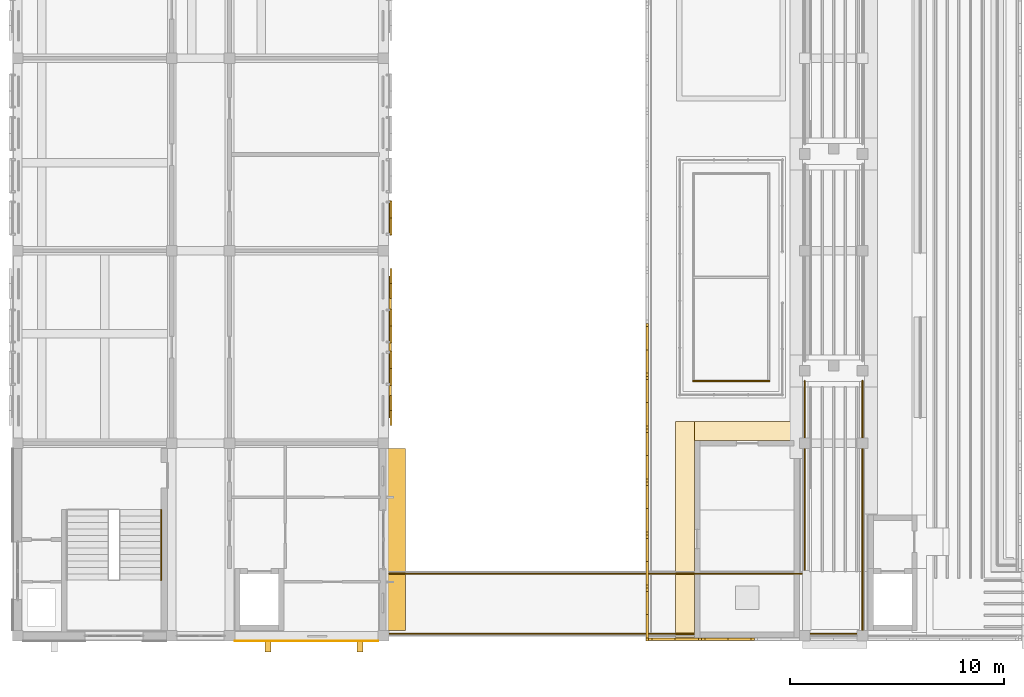
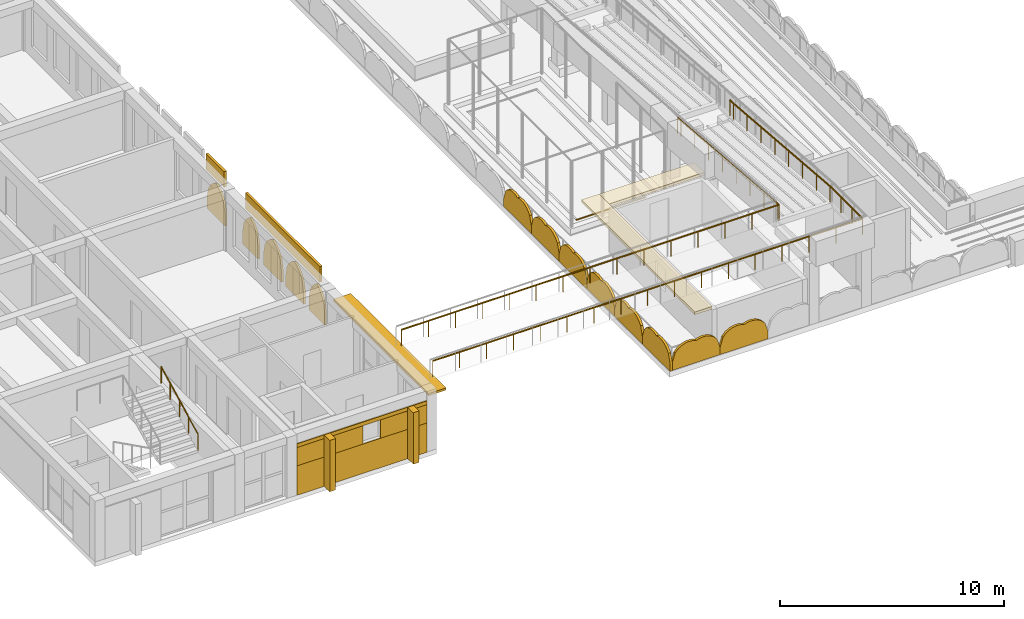
# One storey, part 43 of 50: 14 shading devices, 11 coverings, 3 railings.
"""IFC4 building model written with IfcOpenShell, lengths in metres."""

import ifcopenshell
import ifcopenshell.guid

model = None  # the IFC model being written
_history = None  # IfcOwnerHistory: only IFC2X3 demands one
_inside = {}  # id of a spatial element -> (the spatial element, [elements in it])
_under = {}  # id of a project, library or spatial element -> (it, [spatial elements below it])
_declared = {}  # id of a project -> (the project, [libraries it declares])
_typed = {}  # id of a type object -> (the type object, [elements of that type])
_made_of = {}  # id of a material, layer set ... -> (it, [elements and type objects made of it])


def new_model(schema):
    """Start an empty IFC model of exactly this schema.

    Asked for "IFC4X3", IfcOpenShell would pick the latest addendum, in which some entities
    have other attributes; the version numbers below select the first issue.
    IFC2X3 requires an IfcOwnerHistory on every rooted entity: one is made here for all.
    """
    global model, _history
    if schema == "IFC4X3":
        model = ifcopenshell.file(schema_version=(4, 3, 0, 0))
    else:
        model = ifcopenshell.file(schema=schema)
    _inside.clear()
    _under.clear()
    _declared.clear()
    _typed.clear()
    _made_of.clear()
    _history = None
    if model.schema == "IFC2X3":
        org = make("IfcOrganization", Name="unknown")
        user = make(
            "IfcPersonAndOrganization",
            ThePerson=make("IfcPerson", FamilyName="unknown"),
            TheOrganization=org,
        )
        app = make(
            "IfcApplication",
            ApplicationDeveloper=org,
            Version="unknown",
            ApplicationFullName="unknown",
            ApplicationIdentifier="unknown",
        )
        _history = make(
            "IfcOwnerHistory",
            OwningUser=user,
            OwningApplication=app,
            ChangeAction="ADDED",
            CreationDate=0,
        )
    return model


def make(cls, **values):
    """One entity of the class cls with the attributes given. An attribute that is None is left unset."""
    return model.create_entity(
        cls, **{name: value for name, value in values.items() if value is not None}
    )


def rooted(cls, **values):
    """An entity with a GlobalId (a new one), such as an element, a storey or a relation."""
    return make(cls, GlobalId=ifcopenshell.guid.new(), OwnerHistory=_history, **values)


def si_unit(unit_type, name, prefix=None):
    """IfcSIUnit, for example si_unit("LENGTHUNIT", "METRE", prefix="MILLI")."""
    return make("IfcSIUnit", UnitType=unit_type, Prefix=prefix, Name=name)


def assignment(units):
    """IfcUnitAssignment: the units of a project."""
    return None if units is None else make("IfcUnitAssignment", Units=units)


def point(xyz):
    """IfcCartesianPoint."""
    return None if xyz is None else make("IfcCartesianPoint", Coordinates=xyz)


def direction(xyz):
    """IfcDirection."""
    return None if xyz is None else make("IfcDirection", DirectionRatios=xyz)


def frame(location, z_axis=None, x_axis=None):
    """IfcAxis2Placement3D, a coordinate frame: its origin and axes. An axis left out is left unset."""
    return make(
        "IfcAxis2Placement3D",
        Location=point(location),
        Axis=direction(z_axis),
        RefDirection=direction(x_axis),
    )


def frame_2d(location, x_axis=None):
    """IfcAxis2Placement2D, a coordinate frame in the plane: its origin and x axis."""
    return make(
        "IfcAxis2Placement2D", Location=point(location), RefDirection=direction(x_axis)
    )


def origin():
    """The frame at (0, 0, 0) with its axes left unset."""
    return frame((0.0, 0.0, 0.0))


def origin_2d():
    """The frame at (0, 0) in the plane with its x axis left unset."""
    return frame_2d((0.0, 0.0))


def place(relative_to, where):
    """IfcLocalPlacement: puts the frame where relative to a parent placement (None: the world)."""
    return make(
        "IfcLocalPlacement", PlacementRelTo=relative_to, RelativePlacement=where
    )


def context(
    kind, dimensions, precision=None, world=None, true_north=None, identifier=None
):
    """IfcGeometricRepresentationContext, for example the 3D "Model" context."""
    return make(
        "IfcGeometricRepresentationContext",
        ContextIdentifier=identifier,
        ContextType=kind,
        CoordinateSpaceDimension=dimensions,
        Precision=precision,
        WorldCoordinateSystem=world,
        TrueNorth=true_north,
    )


def subcontext(parent, identifier, kind, view, scale=None):
    """IfcGeometricRepresentationSubContext, for example "Body" below "Model"."""
    return make(
        "IfcGeometricRepresentationSubContext",
        ContextIdentifier=identifier,
        ContextType=kind,
        ParentContext=parent,
        TargetScale=scale,
        TargetView=view,
    )


def project(units=None, contexts=None):
    """IfcProject with its units and contexts."""
    return rooted(
        "IfcProject",
        Name="project",
        RepresentationContexts=contexts,
        UnitsInContext=assignment(units),
    )


def spatial(cls, under=None, at=None, **own):
    """A site, building, storey or space (cls), placed at a placement, below another one or the project."""
    s = rooted(cls, ObjectPlacement=at, **own)
    if under is not None:
        _under.setdefault(under.id(), (under, []))[1].append(s)
    return s


def polyline(points):
    """IfcPolyline through the points."""
    return make("IfcPolyline", Points=[point(p) for p in points])


def profile(cls, at=None, kind="AREA", **sizes):
    """A parametric profile (cls). Its sizes go by their IFC names, for example OverallWidth=200.0."""
    return make(cls, ProfileType=kind, Position=at, **sizes)


def rectangle(**sizes):
    """IfcRectangleProfileDef."""
    return profile("IfcRectangleProfileDef", **sizes)


def circle(**sizes):
    """IfcCircleProfileDef."""
    return profile("IfcCircleProfileDef", **sizes)


def outline(outer, holes=None, kind="AREA"):
    """IfcArbitraryClosedProfileDef: a profile drawn as a closed curve; with holes, ...WithVoids."""
    if holes is None:
        return make("IfcArbitraryClosedProfileDef", ProfileType=kind, OuterCurve=outer)
    return make(
        "IfcArbitraryProfileDefWithVoids",
        ProfileType=kind,
        OuterCurve=outer,
        InnerCurves=holes,
    )


def extrude(swept, where, along, depth):
    """IfcExtrudedAreaSolid: the profile swept, set in the frame where, extruded along a direction by depth."""
    return make(
        "IfcExtrudedAreaSolid",
        SweptArea=swept,
        Position=where,
        ExtrudedDirection=direction(along),
        Depth=depth,
    )


def shape(context_of_items, identifier, shape_type, items):
    """IfcShapeRepresentation: the items that make up one representation, for example the "Body"."""
    return make(
        "IfcShapeRepresentation",
        ContextOfItems=context_of_items,
        RepresentationIdentifier=identifier,
        RepresentationType=shape_type,
        Items=items,
    )


def material(Name=None, Category=None):
    """IfcMaterial."""
    return make("IfcMaterial", Name=Name, Category=Category)


def layer(
    of_material, thickness, ventilated=None, Name=None, Category=None, Priority=None
):
    """IfcMaterialLayer: one layer of a wall or slab, of a material (None: an air gap)."""
    return make(
        "IfcMaterialLayer",
        Material=of_material,
        LayerThickness=thickness,
        IsVentilated=ventilated,
        Name=Name,
        Category=Category,
        Priority=Priority,
    )


def layer_set(layers, Name=None):
    """IfcMaterialLayerSet."""
    return make("IfcMaterialLayerSet", MaterialLayers=layers, LayerSetName=Name)


def made_of(thing, what):
    """Note that an element or type object is made of a material, layer set ...; save() writes the relation."""
    if what is not None:
        _made_of.setdefault(what.id(), (what, []))[1].append(thing)
    return thing


def type_object(cls, material=None, **own):
    """A type object (cls), such as IfcWallType, which elements share."""
    return made_of(rooted(cls, **own), material)


def element(
    cls,
    number,
    at=None,
    inside=None,
    cuts=None,
    type_object=None,
    material=None,
    context=None,
    identifier="Body",
    shape_type=None,
    held_by="IfcProductDefinitionShape",
    body=None,
    shapes=None,
    **own,
):
    """One element of the class cls, such as IfcWall. Its Tag is "e" and its number.

    at: its placement. inside: the storey or other place that contains it. cuts: it is an
    opening in that element (IfcRelVoidsElement). A single representation is given by context,
    identifier, shape_type and body (its items); several are given by shapes. held_by: the class
    of the entity that holds the representations. save() writes the other relations.
    """
    e = rooted(cls, Tag="e%d" % number, ObjectPlacement=at, **own)
    if body is not None:
        shapes = [shape(context, identifier, shape_type, body)]
    if shapes is not None:
        e.Representation = make(held_by, Representations=shapes)
    if inside is not None:
        _inside.setdefault(inside.id(), (inside, []))[1].append(e)
    if cuts is not None:
        rooted(
            "IfcRelVoidsElement", RelatingBuildingElement=cuts, RelatedOpeningElement=e
        )
    if type_object is not None:
        _typed.setdefault(type_object.id(), (type_object, []))[1].append(e)
    return made_of(e, material)


def aggregate(whole, parts):
    """IfcRelAggregates: a whole, such as a stair, and the parts it consists of."""
    return rooted("IfcRelAggregates", RelatingObject=whole, RelatedObjects=parts)


def save(model, path):
    """Write the relations noted so far, then the file.

    IfcRelAggregates (storeys below a building ...), IfcRelContainedInSpatialStructure (elements
    in a storey), IfcRelDefinesByType, IfcRelAssociatesMaterial and IfcRelDeclares: one each for
    every whole, place, type object, material and project.
    """
    for whole, parts in _under.values():
        aggregate(whole, parts)
    for where, things in _inside.values():
        rooted(
            "IfcRelContainedInSpatialStructure",
            RelatedElements=things,
            RelatingStructure=where,
        )
    for kind, things in _typed.values():
        rooted("IfcRelDefinesByType", RelatedObjects=things, RelatingType=kind)
    for what, things in _made_of.values():
        rooted("IfcRelAssociatesMaterial", RelatedObjects=things, RelatingMaterial=what)
    for by, libraries in _declared.values():
        rooted("IfcRelDeclares", RelatingContext=by, RelatedDefinitions=libraries)
    model.write(path)


model = new_model("IFC4")

# Units and contexts
model_context = context("Model", 3, precision=1e-05, world=origin(), true_north=direction((0.0, 1.0)))
body_context = subcontext(model_context, "Body", "Model", "MODEL_VIEW")
ifc_project = project(units=[si_unit("LENGTHUNIT", "METRE"), si_unit("AREAUNIT", "SQUARE_METRE"), si_unit("VOLUMEUNIT", "CUBIC_METRE"), si_unit("PLANEANGLEUNIT", "RADIAN"), si_unit("MASSUNIT", "GRAM", prefix="KILO")], contexts=[model_context])

# Site, building, storey
site_placement = place(None, origin())
site = spatial("IfcSite", under=ifc_project, at=site_placement, CompositionType="ELEMENT")
building_placement = place(site_placement, origin())
building = spatial("IfcBuilding", under=site, at=building_placement, Name="Elbe Cascade School", CompositionType="ELEMENT")
storey_placement = place(building_placement, frame((0.0, 0.0, 15.300048828125)))
storey = spatial("IfcBuildingStorey", under=building, at=storey_placement, Name="L04", CompositionType="ELEMENT", Elevation=15.300048828125)

# Railing
ifc_material_1 = material(Name="Steel S355J2H, painted", Category="steel")
railing_type_1 = type_object("IfcRailingType", Name="Bar stair handrail 900", PredefinedType="HANDRAIL", material=ifc_material_1)
railing_1_placement = place(storey_placement, frame((75.699951171875, 8.60009765625, 1.949951171875)))
element("IfcRailing", 1, at=railing_1_placement, inside=storey, type_object=railing_type_1, Name="Stair handrail A4.S", PredefinedType="HANDRAIL", context=body_context, shape_type="SweptSolid", body=[
    extrude(circle(Radius=0.02392578125, at=origin_2d()), frame((0.0, 0.0, 0.8759765625), z_axis=(0.0, 0.894427191, 0.4472135955), x_axis=(-1.0, 0.0, 0.0)), (0.0, 0.0, 1.0), 3.689208984375),
    extrude(circle(Radius=0.02099609375, at=origin_2d()), origin(), (0.0, 0.0, 1.0), 0.851806640625),
    extrude(circle(Radius=0.02099609375, at=origin_2d()), frame((0.0, 0.824951171875, 0.41259765625)), (0.0, 0.0, 1.0), 0.851806640625),
    extrude(circle(Radius=0.02099609375, at=origin_2d()), frame((0.0, 1.64990234375, 0.824951171875)), (0.0, 0.0, 1.0), 0.851806640625),
    extrude(circle(Radius=0.02099609375, at=origin_2d()), frame((0.0, 2.474853515625, 1.2373046875)), (0.0, 0.0, 1.0), 0.851806640625),
    extrude(circle(Radius=0.02099609375, at=origin_2d()), frame((0.0, 3.2998046875, 1.64990234375)), (0.0, 0.0, 1.0), 0.851806640625),
])

# Shading devices
ifc_material_2 = material(Name="Precast concrete C40/50", Category="concrete")
ifc_layer_1 = layer(ifc_material_2, 0.1201171875)
ifc_layer_set_1 = layer_set([ifc_layer_1], Name="Precast concrete C40/50")
shading_device_type_1 = type_object("IfcShadingDeviceType", Name="Bars envelope Attic jali screen, pointed arch top, pierced precast concrete, 1200 high", PredefinedType="USERDEFINED", material=ifc_layer_set_1)
shading_device_1_placement = place(storey_placement, frame((98.3798828125, 5.75, 0.39990234375), z_axis=(-1.0, 0.0, 0.0), x_axis=(0.0, 0.296914729778, 0.954903996871)))
element("IfcShadingDevice", 2, at=shading_device_1_placement, inside=storey, type_object=shading_device_type_1, Name="Attic jali screen SD1 B.L04.w1", ObjectType="JALI", PredefinedType="USERDEFINED", context=body_context, shape_type="SweptSolid", body=[
    extrude(outline(polyline([(0.0, 0.0), (0.5213118135497831, 2.7755575615628914e-17), (0.7310001580840946, 0.09715085393298623), (0.8774375509870718, 0.2137130818339548), (0.9849420905019789, 0.3423809640007578), (1.0621396183974305, 0.48047240936850977), (1.1125270975525943, 0.6269000837217165), (1.1363376588260814, 0.7815914981126785), (1.1317062553490027, 0.9451265641229927), (1.2283261334568831, 1.0774345576902884), (1.296431557866498, 1.218353072018325), (1.3379600643944363, 1.3675353263841168), (1.3526785221820867, 1.5250538097353636), (1.3370899683502817, 1.6919958562875592), (1.2825685611304065, 1.8710435571055892), (1.1649411801745964, 2.069968893608824), (0.7355453523079154, 2.365578822327823), (0.3536770059027736, 2.4843157186597797), (-0.3818683464051418, 0.11873689633195678), (0.0, 0.0)])), origin(), (0.0, 0.0, -1.0), 0.1201171875),
])
shading_device_2_placement = place(storey_placement, frame((98.3798828125, 8.227294921875, 0.39990234375), z_axis=(-1.0, 0.0, 0.0), x_axis=(0.0, 0.296914729778, 0.954903996871)))
element("IfcShadingDevice", 3, at=shading_device_2_placement, inside=storey, type_object=shading_device_type_1, Name="Attic jali screen SD1 B.L04.w2", ObjectType="JALI", PredefinedType="USERDEFINED", context=body_context, shape_type="SweptSolid", body=[
    extrude(outline(polyline([(0.0, 0.0), (0.5213118135497831, 2.7755575615628914e-17), (0.730927669136395, 0.09691772307437502), (0.8774375509870718, 0.2137130818339548), (0.9849420905019789, 0.3423809640007578), (1.0621396183974305, 0.48047240936850977), (1.1125270975525943, 0.6269000837217165), (1.1363376588260814, 0.7815914981126785), (1.1317062553490027, 0.9451265641229927), (1.2282536445091836, 1.0772014268316772), (1.296431557866498, 1.218353072018325), (1.3379600643944363, 1.3675353263841168), (1.3526785221820867, 1.5250538097353636), (1.3370899683502817, 1.6919958562875592), (1.282641050078106, 1.8712766879642004), (1.1649411801745964, 2.069968893608824), (0.7355453523079154, 2.365578822327823), (0.3536770059027736, 2.4843157186597797), (-0.3818683464051418, 0.11873689633195678), (0.0, 0.0)])), origin(), (0.0, 0.0, -1.0), 0.1201171875),
])
shading_device_3_placement = place(storey_placement, frame((98.3798828125, 10.70458984375, 0.39990234375), z_axis=(-1.0, 0.0, 0.0), x_axis=(0.0, 0.296914729778, 0.954903996871)))
element("IfcShadingDevice", 4, at=shading_device_3_placement, inside=storey, type_object=shading_device_type_1, Name="Attic jali screen SD1 B.L04.w3", ObjectType="JALI", PredefinedType="USERDEFINED", context=body_context, shape_type="SweptSolid", body=[
    extrude(outline(polyline([(0.0, 0.0), (0.5213118135497831, 2.7755575615628914e-17), (0.730927669136395, 0.09691772307437502), (0.8773650620393721, 0.21347995097534359), (0.9849420905019789, 0.3423809640007578), (1.0621396183974305, 0.48047240936850977), (1.1125270975525943, 0.6269000837217165), (1.1363376588260814, 0.7815914981126785), (1.1317062553490027, 0.9451265641229927), (1.2282536445091836, 1.0772014268316772), (1.2963590689187985, 1.218119941159714), (1.3379600643944363, 1.3675353263841168), (1.3526785221820867, 1.5250538097353636), (1.3370899683502817, 1.6919958562875592), (1.282641050078106, 1.8712766879642004), (1.1649411801745964, 2.069968893608824), (0.7355453523079154, 2.365578822327823), (0.3536770059027736, 2.4843157186597797), (-0.3818683464051418, 0.11873689633195678), (0.0, 0.0)])), origin(), (0.0, 0.0, -1.0), 0.1201171875),
])
shading_device_4_placement = place(storey_placement, frame((98.3798828125, 13.181884765625, 0.39990234375), z_axis=(-1.0, 0.0, 0.0), x_axis=(0.0, 0.296914729778, 0.954903996871)))
element("IfcShadingDevice", 5, at=shading_device_4_placement, inside=storey, type_object=shading_device_type_1, Name="Attic jali screen SD1 B.L04.w4", ObjectType="JALI", PredefinedType="USERDEFINED", context=body_context, shape_type="SweptSolid", body=[
    extrude(outline(polyline([(0.0, 0.0), (0.5213118135497831, 2.7755575615628914e-17), (0.730927669136395, 0.09691772307437502), (0.8773650620393721, 0.21347995097534359), (0.9848696015542793, 0.3421478331421466), (1.0621396183974305, 0.48047240936850977), (1.1125270975525943, 0.6269000837217165), (1.1363376588260814, 0.7815914981126785), (1.1317062553490027, 0.9451265641229927), (1.2282536445091836, 1.0772014268316772), (1.2963590689187985, 1.218119941159714), (1.3379600643944363, 1.3675353263841168), (1.3526785221820867, 1.5250538097353636), (1.3370899683502817, 1.6919958562875592), (1.2825685611304065, 1.8710435571055892), (1.1649411801745964, 2.069968893608824), (0.7355453523079154, 2.365578822327823), (0.3536770059027736, 2.4843157186597797), (-0.3818683464051418, 0.11873689633195678), (0.0, 0.0)])), origin(), (0.0, 0.0, -1.0), 0.1201171875),
])
shading_device_5_placement = place(storey_placement, frame((98.3798828125, 15.6591796875, 0.39990234375), z_axis=(-1.0, 0.0, 0.0), x_axis=(0.0, 0.296914729778, 0.954903996871)))
element("IfcShadingDevice", 6, at=shading_device_5_placement, inside=storey, type_object=shading_device_type_1, Name="Attic jali screen SD1 B.L04.w5", ObjectType="JALI", PredefinedType="USERDEFINED", context=body_context, shape_type="SweptSolid", body=[
    extrude(outline(polyline([(0.0, 0.0), (0.5213118135497831, 2.7755575615628914e-17), (0.730927669136395, 0.09691772307437502), (0.8773650620393721, 0.21347995097534359), (0.9848696015542793, 0.3421478331421466), (1.0620671294497308, 0.48023927850989856), (1.1125270975525943, 0.6269000837217165), (1.1363376588260814, 0.7815914981126785), (1.1317062553490027, 0.9451265641229927), (1.2282536445091836, 1.0772014268316772), (1.296431557866498, 1.218353072018325), (1.3379600643944363, 1.3675353263841168), (1.3526785221820867, 1.5250538097353636), (1.3370899683502817, 1.6919958562875592), (1.2825685611304065, 1.8710435571055892), (1.1648686912268968, 2.069735762750213), (0.7355453523079154, 2.365578822327823), (0.3536770059027736, 2.4843157186597797), (-0.3818683464051418, 0.11873689633195678), (0.0, 0.0)])), origin(), (0.0, 0.0, -1.0), 0.1201171875),
])
shading_device_6_placement = place(storey_placement, frame((98.3798828125, 18.136474609375, 0.39990234375), z_axis=(-1.0, 0.0, 0.0), x_axis=(0.0, 0.296914729778, 0.954903996871)))
element("IfcShadingDevice", 7, at=shading_device_6_placement, inside=storey, type_object=shading_device_type_1, Name="Attic jali screen SD1 B.L04.w6", ObjectType="JALI", PredefinedType="USERDEFINED", context=body_context, shape_type="SweptSolid", body=[
    extrude(outline(polyline([(0.0, 0.0), (0.5213118135497831, 2.7755575615628914e-17), (0.730927669136395, 0.09691772307437502), (0.8773650620393721, 0.21347995097534359), (0.9848696015542793, 0.3421478331421466), (1.0620671294497308, 0.48023927850989856), (1.1124546086048945, 0.6266669528631053), (1.1363376588260814, 0.7815914981126785), (1.1317062553490027, 0.9451265641229927), (1.2282536445091836, 1.0772014268316772), (1.296431557866498, 1.218353072018325), (1.3379600643944363, 1.3675353263841168), (1.3526785221820867, 1.5250538097353636), (1.3370899683502817, 1.6919958562875592), (1.2825685611304065, 1.8710435571055892), (1.1648686912268968, 2.069735762750213), (0.7354728633602158, 2.3653456914692117), (0.353604516955074, 2.4840825878011685), (-0.3818683464051418, 0.11873689633195678), (0.0, 0.0)])), origin(), (0.0, 0.0, -1.0), 0.1201171875),
])
shading_device_7_placement = place(storey_placement, frame((98.5, 5.780029296875, 0.0), z_axis=(0.0, -1.0, 0.0), x_axis=(1.0, 0.0, 0.0)))
element("IfcShadingDevice", 8, at=shading_device_7_placement, inside=storey, type_object=shading_device_type_1, Name="Attic jali screen SD1 B.L04.s1", ObjectType="JALI", PredefinedType="USERDEFINED", context=body_context, shape_type="SweptSolid", body=[
    extrude(outline(polyline([(0.0, 0.0), (2.471435546875, 0.0), (2.471435546875, 0.39990234375), (2.31689453125, 0.89697265625), (2.16259765625, 1.068115234375), (2.008056640625, 1.173095703125), (1.853515625, 1.237548828125), (1.69921875, 1.2705078125), (1.544677734375, 1.275390625), (1.39013671875, 1.252685546875), (1.235595703125, 1.199951171875), (1.081298828125, 1.252685546875), (0.9267578125, 1.275390625), (0.772216796875, 1.2705078125), (0.617919921875, 1.237548828125), (0.46337890625, 1.173095703125), (0.308837890625, 1.068115234375), (0.154541015625, 0.89697265625), (0.0, 0.39990234375), (0.0, 0.0)])), origin(), (0.0, 0.0, -1.0), 0.1201171875),
])
shading_device_8_placement = place(storey_placement, frame((100.971435546875, 5.780029296875, 0.0), z_axis=(0.0, -1.0, 0.0), x_axis=(1.0, 0.0, 0.0)))
element("IfcShadingDevice", 9, at=shading_device_8_placement, inside=storey, type_object=shading_device_type_1, Name="Attic jali screen SD1 B.L04.s2", ObjectType="JALI", PredefinedType="USERDEFINED", context=body_context, shape_type="SweptSolid", body=[
    extrude(outline(polyline([(0.0, 0.0), (2.471435546875, 0.0), (2.471435546875, 0.39990234375), (2.31689453125, 0.89697265625), (2.162353515625, 1.068115234375), (2.008056640625, 1.173095703125), (1.853515625, 1.237548828125), (1.698974609375, 1.2705078125), (1.544677734375, 1.275390625), (1.39013671875, 1.252685546875), (1.235595703125, 1.199951171875), (1.081298828125, 1.252685546875), (0.9267578125, 1.275390625), (0.7724609375, 1.2705078125), (0.617919921875, 1.237548828125), (0.46337890625, 1.173095703125), (0.30908203125, 1.068115234375), (0.154541015625, 0.89697265625), (0.0, 0.39990234375), (0.0, 0.0)])), origin(), (0.0, 0.0, -1.0), 0.1201171875),
])
ifc_material_3 = material(Name="Precast concrete C30/37", Category="concrete")
ifc_layer_2 = layer(ifc_material_3, 0.1201171875)
ifc_layer_set_2 = layer_set([ifc_layer_2], Name="Precast concrete C30/37")
shading_device_type_2 = type_object("IfcShadingDeviceType", Name="Bars envelope Chhajja eave, precast concrete, 900 x 120", PredefinedType="USERDEFINED", material=ifc_layer_set_2)
shading_device_9_placement = place(storey_placement, frame((86.669921875, 10.5, 2.6298828125), z_axis=(0.0, 0.0, 1.0), x_axis=(0.0, 1.0, 0.0)))
element("IfcShadingDevice", 10, at=shading_device_9_placement, inside=storey, type_object=shading_device_type_2, Name="Chhajja eave SD2 A.L04.e1", ObjectType="CHHAJJA", PredefinedType="USERDEFINED", context=body_context, shape_type="SweptSolid", body=[
    extrude(rectangle(XDim=8.5, YDim=0.89990234375, at=origin_2d()), origin(), (0.0, 0.0, 1.0), 0.1201171875),
])
ifc_material_4 = material(Name="Precast concrete C40/50", Category="concrete")
ifc_layer_3 = layer(ifc_material_4, 0.10009765625)
ifc_layer_set_3 = layer_set([ifc_layer_3], Name="Precast concrete C40/50")
shading_device_type_3 = type_object("IfcShadingDeviceType", Name="Bars envelope Jali screen 1400 x 1840, pointed arch rise 1200, pierced precast concrete", PredefinedType="USERDEFINED", material=ifc_layer_set_3)
shading_device_10_placement = place(storey_placement, frame((86.5, 15.830078125, 0.599853515625), z_axis=(1.0, 0.0, 0.0), x_axis=(0.0, 1.0, 0.0)))
element("IfcShadingDevice", 11, at=shading_device_10_placement, inside=storey, type_object=shading_device_type_3, Name="Jali screen SD6 A.L04.e2.1", ObjectType="JALI", PredefinedType="USERDEFINED", context=body_context, shape_type="SweptSolid", body=[
    extrude(outline(polyline([(0.0, 0.0), (1.39990234375, 0.0), (1.39990234375, 0.64013671875), (1.3125, 1.123291015625), (1.224853515625, 1.312255859375), (1.137451171875, 1.44921875), (1.0498046875, 1.55810546875), (0.96240234375, 1.6474609375), (0.875, 1.72265625), (0.787353515625, 1.7861328125), (0.699951171875, 1.840087890625), (0.6123046875, 1.7861328125), (0.52490234375, 1.72265625), (0.4375, 1.6474609375), (0.349853515625, 1.55810546875), (0.262451171875, 1.44921875), (0.1748046875, 1.312255859375), (0.08740234375, 1.123291015625), (0.0, 0.64013671875), (0.0, 0.0)])), origin(), (0.0, 0.0, -1.0), 0.10009765625),
])
shading_device_11_placement = place(storey_placement, frame((86.5, 21.77001953125, 0.599853515625), z_axis=(1.0, 0.0, 0.0), x_axis=(0.0, 1.0, 0.0)))
element("IfcShadingDevice", 12, at=shading_device_11_placement, inside=storey, type_object=shading_device_type_3, Name="Jali screen SD6 A.L04.e2.4", ObjectType="JALI", PredefinedType="USERDEFINED", context=body_context, shape_type="SweptSolid", body=[
    extrude(outline(polyline([(0.0, 0.0), (1.39990234375, 0.0), (1.39990234375, 0.64013671875), (1.3125, 1.123291015625), (1.22509765625, 1.312255859375), (1.137451171875, 1.44921875), (1.050048828125, 1.55810546875), (0.96240234375, 1.6474609375), (0.875, 1.72265625), (0.78759765625, 1.7861328125), (0.699951171875, 1.840087890625), (0.612548828125, 1.7861328125), (0.52490234375, 1.72265625), (0.4375, 1.6474609375), (0.35009765625, 1.55810546875), (0.262451171875, 1.44921875), (0.175048828125, 1.312255859375), (0.08740234375, 1.123291015625), (0.0, 0.64013671875), (0.0, 0.0)])), origin(), (0.0, 0.0, -1.0), 0.10009765625),
])
ifc_material_5 = material(Name="Precast concrete C40/50", Category="concrete")
ifc_layer_4 = layer(ifc_material_5, 0.10009765625)
ifc_layer_set_4 = layer_set([ifc_layer_4], Name="Precast concrete C40/50")
shading_device_type_4 = type_object("IfcShadingDeviceType", Name="Bars envelope Jali screen 1600 x 1840, pointed arch rise 1200, pierced precast concrete", PredefinedType="USERDEFINED", material=ifc_layer_set_4)
for number, where, z_axis, x_axis, name in (
    (13, (86.5, 17.7099609375, 0.599853515625), (1.0, 0.0, 0.0), (0.0, 1.0, 0.0), "Jali screen SD7 A.L04.e2.2"),
    (14, (86.5, 19.68994140625, 0.599853515625), (1.0, 0.0, 0.0), (0.0, 1.0, 0.0), "Jali screen SD7 A.L04.e2.3"),
):
    element("IfcShadingDevice", number, at=place(storey_placement, frame(where, z_axis=z_axis, x_axis=x_axis)), inside=storey, type_object=shading_device_type_4, Name=name, ObjectType="JALI", PredefinedType="USERDEFINED", context=body_context, shape_type="SweptSolid", body=[
        extrude(outline(polyline([(0.0, 0.0), (1.60009765625, 0.0), (1.60009765625, 0.64013671875), (1.5, 1.14013671875), (1.400146484375, 1.3330078125), (1.300048828125, 1.470703125), (1.199951171875, 1.578125), (1.10009765625, 1.664794921875), (1.0, 1.735595703125), (0.900146484375, 1.79345703125), (0.800048828125, 1.840087890625), (0.699951171875, 1.79345703125), (0.60009765625, 1.735595703125), (0.5, 1.664794921875), (0.400146484375, 1.578125), (0.300048828125, 1.470703125), (0.199951171875, 1.3330078125), (0.10009765625, 1.14013671875), (0.0, 0.64013671875), (0.0, 0.0)])), origin(), (0.0, 0.0, -1.0), 0.10009765625),
    ])
shading_device_12_placement = place(storey_placement, frame((86.5, 24.72998046875, 0.599853515625), z_axis=(1.0, 0.0, 0.0), x_axis=(0.0, 1.0, 0.0)))
element("IfcShadingDevice", 15, at=shading_device_12_placement, inside=storey, type_object=shading_device_type_4, Name="Jali screen SD7 A.L04.e3.1", ObjectType="JALI", PredefinedType="USERDEFINED", context=body_context, shape_type="SweptSolid", body=[
    extrude(outline(polyline([(0.0, 0.0), (1.60009765625, 0.0), (1.60009765625, 0.64013671875), (1.5, 1.14013671875), (1.39990234375, 1.3330078125), (1.300048828125, 1.470703125), (1.199951171875, 1.578125), (1.10009765625, 1.664794921875), (1.0, 1.735595703125), (0.89990234375, 1.79345703125), (0.800048828125, 1.840087890625), (0.699951171875, 1.79345703125), (0.60009765625, 1.735595703125), (0.5, 1.664794921875), (0.39990234375, 1.578125), (0.300048828125, 1.470703125), (0.199951171875, 1.3330078125), (0.10009765625, 1.14013671875), (0.0, 0.64013671875), (0.0, 0.0)])), origin(), (0.0, 0.0, -1.0), 0.10009765625),
])

# Coverings
ifc_material_6 = material(Name="Precast concrete C40/50", Category="concrete")
covering_type_1 = type_object("IfcCoveringType", Name="Bars envelope Precast concrete gable fin, 300 wide, 500 deep", PredefinedType="CLADDING", material=ifc_material_6)
for number, where, z_axis, x_axis, name in (
    (16, (80.699951171875, 5.489990234375, 0.0), (0.0, 0.0, 1.0), (1.0, 0.0, 0.0), "Fin CV50 A.L04.s.2"),
    (17, (85.0, 5.489990234375, 0.0), (0.0, 0.0, 1.0), (1.0, 0.0, 0.0), "Fin CV50 A.L04.s.3"),
):
    element("IfcCovering", number, at=place(storey_placement, frame(where, z_axis=z_axis, x_axis=x_axis)), inside=storey, type_object=covering_type_1, Name=name, PredefinedType="CLADDING", context=body_context, shape_type="SweptSolid", body=[
        extrude(rectangle(XDim=0.300048828125, YDim=0.5, at=origin_2d()), origin(), (0.0, 0.0, 1.0), 2.800048828125),
    ])
ifc_material_7 = material(Name="Sandstone - red", Category="masonry")
ifc_layer_5 = layer(ifc_material_7, 0.0400390625)
ifc_layer_set_5 = layer_set([ifc_layer_5], Name="Sandstone - red")
covering_type_2 = type_object("IfcCoveringType", Name="Bars envelope Sandstone cladding, red, 40 mm", PredefinedType="CLADDING", material=ifc_layer_set_5)
covering_1_placement = place(storey_placement, frame((82.5, 5.760009765625, 0.0), z_axis=(0.0, 0.0, 1.0), x_axis=(1.0, 0.0, 0.0)))
element("IfcCovering", 18, at=covering_1_placement, inside=storey, type_object=covering_type_2, Name="Sandstone cladding CV48 A.L04.s.3.1", PredefinedType="CLADDING", context=body_context, shape_type="SweptSolid", body=[
    extrude(rectangle(XDim=6.699951171875, YDim=0.0400390625, at=origin_2d()), origin(), (0.0, 0.0, 1.0), 1.60009765625),
])
covering_2_placement = place(storey_placement, frame((80.85009765625, 5.760009765625, 1.599853515625), z_axis=(0.0, 0.0, 1.0), x_axis=(1.0, 0.0, 0.0)))
element("IfcCovering", 19, at=covering_2_placement, inside=storey, type_object=covering_type_2, Name="Sandstone cladding CV48 A.L04.s.3.2", PredefinedType="CLADDING", context=body_context, shape_type="SweptSolid", body=[
    extrude(rectangle(XDim=3.39990234375, YDim=0.0400390625, at=origin_2d()), origin(), (0.0, 0.0, 1.0), 1.0),
])
covering_3_placement = place(storey_placement, frame((84.64990234375, 5.760009765625, 1.599853515625), z_axis=(0.0, 0.0, 1.0), x_axis=(1.0, 0.0, 0.0)))
element("IfcCovering", 20, at=covering_3_placement, inside=storey, type_object=covering_type_2, Name="Sandstone cladding CV48 A.L04.s.3.3", PredefinedType="CLADDING", context=body_context, shape_type="SweptSolid", body=[
    extrude(rectangle(XDim=2.39990234375, YDim=0.0400390625, at=origin_2d()), origin(), (0.0, 0.0, 1.0), 1.0),
])
covering_4_placement = place(storey_placement, frame((82.5, 5.760009765625, 2.60009765625), z_axis=(0.0, 0.0, 1.0), x_axis=(1.0, 0.0, 0.0)))
element("IfcCovering", 21, at=covering_4_placement, inside=storey, type_object=covering_type_2, Name="Sandstone cladding CV48 A.L04.s.3.4", PredefinedType="CLADDING", context=body_context, shape_type="SweptSolid", body=[
    extrude(rectangle(XDim=6.699951171875, YDim=0.0400390625, at=origin_2d()), origin(), (0.0, 0.0, 1.0), 0.199951171875),
])
ifc_material_8 = material(Name="Sandstone - red", Category="masonry")
covering_type_3 = type_object("IfcCoveringType", Name="Bars envelope Sandstone spandrel band, 120 deep", PredefinedType="CLADDING", material=ifc_material_8)
covering_5_placement = place(storey_placement, frame((86.409912109375, 19.5, 2.75), z_axis=(0.0, 0.0, 1.0), x_axis=(0.0, 1.0, 0.0)))
element("IfcCovering", 22, at=covering_5_placement, inside=storey, type_object=covering_type_3, Name="Spandrel band CV53 A.L04.e1.1", PredefinedType="CLADDING", context=body_context, shape_type="SweptSolid", body=[
    extrude(rectangle(XDim=6.639892578125, YDim=0.1201171875, at=origin_2d()), origin(), (0.0, 0.0, 1.0), 0.85009765625),
])
covering_6_placement = place(storey_placement, frame((86.409912109375, 25.530029296875, 2.75), z_axis=(0.0, 0.0, 1.0), x_axis=(0.0, 1.0, 0.0)))
element("IfcCovering", 23, at=covering_6_placement, inside=storey, type_object=covering_type_3, Name="Spandrel band CV53 A.L04.e2.1", PredefinedType="CLADDING", context=body_context, shape_type="SweptSolid", body=[
    extrude(rectangle(XDim=1.639892578125, YDim=0.1201171875, at=origin_2d()), origin(), (0.0, 0.0, 1.0), 0.85009765625),
])
ifc_material_9 = material(Name="Running track surfacing - white lines", Category="surfacing")
ifc_layer_6 = layer(ifc_material_9, 0.02001953125)
ifc_layer_set_6 = layer_set([ifc_layer_6], Name="Running track surfacing - white lines")
covering_type_4 = type_object("IfcCoveringType", Name="Lane marking 80", PredefinedType="FLOORING", material=ifc_layer_set_6)
covering_7_placement = place(storey_placement, frame((0.0, 0.0, 0.10986328125)))
element("IfcCovering", 24, at=covering_7_placement, inside=storey, type_object=covering_type_4, Name="Court marking B.w1.1", PredefinedType="FLOORING", context=body_context, shape_type="SweptSolid", body=[
    extrude(outline(polyline([(100.550048828125, 17.875), (104.14990234375, 17.875), (104.14990234375, 17.955078125), (100.550048828125, 17.955078125), (100.550048828125, 17.875)])), origin(), (0.0, 0.0, 1.0), 0.02001953125),
])
ifc_material_10 = material(Name="Precast concrete C30/37", Category="concrete")
ifc_layer_7 = layer(ifc_material_10, 0.14990234375)
ifc_layer_set_7 = layer_set([ifc_layer_7], Name="Precast concrete C30/37")
covering_type_5 = type_object("IfcCoveringType", Name="Roof head eave, precast concrete, 900 x 150", PredefinedType="USERDEFINED", material=ifc_layer_set_7)
covering_8_placement = place(storey_placement, frame((0.0, 0.0, 2.5)))
element("IfcCovering", 25, at=covering_8_placement, inside=storey, type_object=covering_type_5, Name="Stair head eave B.L04.south.w", ObjectType="EAVE", PredefinedType="USERDEFINED", context=body_context, shape_type="SweptSolid", body=[
    extrude(outline(polyline([(99.75, 5.929931640625), (100.64990234375, 5.929931640625), (100.64990234375, 16.02490234375), (99.75, 16.02490234375), (99.75, 5.929931640625)])), origin(), (0.0, 0.0, 1.0), 0.14990234375),
])
covering_9_placement = place(storey_placement, frame((0.0, 0.0, 2.5)))
element("IfcCovering", 26, at=covering_9_placement, inside=storey, type_object=covering_type_5, Name="Stair head eave B.L04.south.i", ObjectType="EAVE", PredefinedType="USERDEFINED", context=body_context, shape_type="SweptSolid", body=[
    extrude(outline(polyline([(100.64990234375, 15.125), (105.550048828125, 15.125), (105.550048828125, 16.02490234375), (100.64990234375, 16.02490234375), (100.64990234375, 15.125)])), origin(), (0.0, 0.0, 1.0), 0.14990234375),
])

# Railings
ifc_material_11 = material(Name="Steel S355J2H", Category="steel")
railing_type_2 = type_object("IfcRailingType", Name="Track handrail 900", PredefinedType="HANDRAIL", material=ifc_material_11)
railing_2_placement = place(storey_placement, frame((86.35009765625, 6.10009765625, 3.719970703125)))
element("IfcRailing", 27, at=railing_2_placement, inside=storey, type_object=railing_type_2, Name="Track handrail RL5 A-B south and east", PredefinedType="HANDRAIL", context=body_context, shape_type="SweptSolid", body=[
    extrude(circle(Radius=0.0400390625, at=origin_2d()), frame((0.0, 0.0, 0.85986328125), z_axis=(1.0, 0.0, 0.0), x_axis=(0.0, 1.0, 0.0)), (0.0, 0.0, 1.0), 22.14990234375),
    extrude(circle(Radius=0.0400390625, at=origin_2d()), frame((22.14990234375, 0.0, 0.85986328125), z_axis=(0.0, 1.0, 0.0), x_axis=(-1.0, 0.0, 0.0)), (0.0, 0.0, 1.0), 2.89990234375),
    extrude(circle(Radius=0.0400390625, at=origin_2d()), frame((22.14990234375, 2.89990234375, 0.85986328125), z_axis=(0.0, 0.996545952447, -0.08304314939), x_axis=(-1.0, 0.0, 0.0)), (0.0, 0.0, 1.0), 8.669921875),
    extrude(circle(Radius=0.0400390625, at=origin_2d()), frame((22.14990234375, 11.539794921875, 0.139892578125), z_axis=(0.0, 1.0, 0.0), x_axis=(-1.0, 0.0, 0.0)), (0.0, 0.0, 1.0), 0.300048828125),
    extrude(circle(Radius=0.02099609375, at=origin_2d()), origin(), (0.0, 0.0, 1.0), 0.81982421875),
    extrude(circle(Radius=0.02099609375, at=origin_2d()), frame((1.38427734375, 0.0, 0.0)), (0.0, 0.0, 1.0), 0.81982421875),
    extrude(circle(Radius=0.02099609375, at=origin_2d()), frame((2.768798828125, 0.0, 0.0)), (0.0, 0.0, 1.0), 0.81982421875),
    extrude(circle(Radius=0.02099609375, at=origin_2d()), frame((4.153076171875, 0.0, 0.0)), (0.0, 0.0, 1.0), 0.81982421875),
    extrude(circle(Radius=0.02099609375, at=origin_2d()), frame((5.53759765625, 0.0, 0.0)), (0.0, 0.0, 1.0), 0.81982421875),
    extrude(circle(Radius=0.02099609375, at=origin_2d()), frame((6.921875, 0.0, 0.0)), (0.0, 0.0, 1.0), 0.81982421875),
    extrude(circle(Radius=0.02099609375, at=origin_2d()), frame((8.30615234375, 0.0, 0.0)), (0.0, 0.0, 1.0), 0.81982421875),
    extrude(circle(Radius=0.02099609375, at=origin_2d()), frame((9.690673828125, 0.0, 0.0)), (0.0, 0.0, 1.0), 0.81982421875),
    extrude(circle(Radius=0.02099609375, at=origin_2d()), frame((11.074951171875, 0.0, 0.0)), (0.0, 0.0, 1.0), 0.81982421875),
    extrude(circle(Radius=0.02099609375, at=origin_2d()), frame((12.459228515625, 0.0, 0.0)), (0.0, 0.0, 1.0), 0.81982421875),
    extrude(circle(Radius=0.02099609375, at=origin_2d()), frame((13.84375, 0.0, 0.0)), (0.0, 0.0, 1.0), 0.81982421875),
    extrude(circle(Radius=0.02099609375, at=origin_2d()), frame((15.22802734375, 0.0, 0.0)), (0.0, 0.0, 1.0), 0.81982421875),
    extrude(circle(Radius=0.02099609375, at=origin_2d()), frame((16.6123046875, 0.0, 0.0)), (0.0, 0.0, 1.0), 0.81982421875),
    extrude(circle(Radius=0.02099609375, at=origin_2d()), frame((17.996826171875, 0.0, 0.0)), (0.0, 0.0, 1.0), 0.81982421875),
    extrude(circle(Radius=0.02099609375, at=origin_2d()), frame((19.381103515625, 0.0, 0.0)), (0.0, 0.0, 1.0), 0.81982421875),
    extrude(circle(Radius=0.02099609375, at=origin_2d()), frame((20.765625, 0.0, 0.0)), (0.0, 0.0, 1.0), 0.81982421875),
    extrude(circle(Radius=0.02099609375, at=origin_2d()), frame((22.14990234375, 0.0, 0.0)), (0.0, 0.0, 1.0), 0.81982421875),
    extrude(circle(Radius=0.02099609375, at=origin_2d()), frame((22.14990234375, 0.966552734375, 0.0)), (0.0, 0.0, 1.0), 0.81982421875),
    extrude(circle(Radius=0.02099609375, at=origin_2d()), frame((22.14990234375, 1.933349609375, 0.0)), (0.0, 0.0, 1.0), 0.81982421875),
    extrude(circle(Radius=0.02099609375, at=origin_2d()), frame((22.14990234375, 2.89990234375, 0.0)), (0.0, 0.0, 1.0), 0.81982421875),
    extrude(circle(Radius=0.02099609375, at=origin_2d()), frame((22.14990234375, 4.13427734375, -0.102783203125)), (0.0, 0.0, 1.0), 0.81982421875),
    extrude(circle(Radius=0.02099609375, at=origin_2d()), frame((22.14990234375, 5.368408203125, -0.205810546875)), (0.0, 0.0, 1.0), 0.81982421875),
    extrude(circle(Radius=0.02099609375, at=origin_2d()), frame((22.14990234375, 6.602783203125, -0.30859375)), (0.0, 0.0, 1.0), 0.81982421875),
    extrude(circle(Radius=0.02099609375, at=origin_2d()), frame((22.14990234375, 7.8369140625, -0.411376953125)), (0.0, 0.0, 1.0), 0.81982421875),
    extrude(circle(Radius=0.02099609375, at=origin_2d()), frame((22.14990234375, 9.0712890625, -0.51416015625)), (0.0, 0.0, 1.0), 0.81982421875),
    extrude(circle(Radius=0.02099609375, at=origin_2d()), frame((22.14990234375, 10.305419921875, -0.6171875)), (0.0, 0.0, 1.0), 0.81982421875),
    extrude(circle(Radius=0.02099609375, at=origin_2d()), frame((22.14990234375, 11.539794921875, -0.719970703125)), (0.0, 0.0, 1.0), 0.81982421875),
    extrude(circle(Radius=0.02099609375, at=origin_2d()), frame((22.14990234375, 11.83984375, -0.719970703125)), (0.0, 0.0, 1.0), 0.81982421875),
])
railing_3_placement = place(storey_placement, frame((86.35009765625, 8.89990234375, 3.719970703125)))
element("IfcRailing", 28, at=railing_3_placement, inside=storey, type_object=railing_type_2, Name="Track handrail RL5 A-B north and west", PredefinedType="HANDRAIL", context=body_context, shape_type="SweptSolid", body=[
    extrude(circle(Radius=0.0400390625, at=origin_2d()), frame((0.0, 0.0, 0.85986328125), z_axis=(1.0, 0.0, 0.0), x_axis=(0.0, 1.0, 0.0)), (0.0, 0.0, 1.0), 19.449951171875),
    extrude(circle(Radius=0.0400390625, at=origin_2d()), frame((19.449951171875, 0.0, 0.85986328125), z_axis=(0.0, 1.0, 0.0), x_axis=(-1.0, 0.0, 0.0)), (0.0, 0.0, 1.0), 0.10009765625),
    extrude(circle(Radius=0.0400390625, at=origin_2d()), frame((19.449951171875, 0.10009765625, 0.85986328125), z_axis=(0.0, 0.996545952447, -0.08304314939), x_axis=(-1.0, 0.0, 0.0)), (0.0, 0.0, 1.0), 8.669921875),
    extrude(circle(Radius=0.0400390625, at=origin_2d()), frame((19.449951171875, 8.739990234375, 0.139892578125), z_axis=(0.0, 1.0, 0.0), x_axis=(-1.0, 0.0, 0.0)), (0.0, 0.0, 1.0), 0.300048828125),
    extrude(circle(Radius=0.02099609375, at=origin_2d()), origin(), (0.0, 0.0, 1.0), 0.81982421875),
    extrude(circle(Radius=0.02099609375, at=origin_2d()), frame((1.38916015625, 0.0, 0.0)), (0.0, 0.0, 1.0), 0.81982421875),
    extrude(circle(Radius=0.02099609375, at=origin_2d()), frame((2.778564453125, 0.0, 0.0)), (0.0, 0.0, 1.0), 0.81982421875),
    extrude(circle(Radius=0.02099609375, at=origin_2d()), frame((4.16796875, 0.0, 0.0)), (0.0, 0.0, 1.0), 0.81982421875),
    extrude(circle(Radius=0.02099609375, at=origin_2d()), frame((5.55712890625, 0.0, 0.0)), (0.0, 0.0, 1.0), 0.81982421875),
    extrude(circle(Radius=0.02099609375, at=origin_2d()), frame((6.9462890625, 0.0, 0.0)), (0.0, 0.0, 1.0), 0.81982421875),
    extrude(circle(Radius=0.02099609375, at=origin_2d()), frame((8.335693359375, 0.0, 0.0)), (0.0, 0.0, 1.0), 0.81982421875),
    extrude(circle(Radius=0.02099609375, at=origin_2d()), frame((9.72509765625, 0.0, 0.0)), (0.0, 0.0, 1.0), 0.81982421875),
    extrude(circle(Radius=0.02099609375, at=origin_2d()), frame((11.1142578125, 0.0, 0.0)), (0.0, 0.0, 1.0), 0.81982421875),
    extrude(circle(Radius=0.02099609375, at=origin_2d()), frame((12.503662109375, 0.0, 0.0)), (0.0, 0.0, 1.0), 0.81982421875),
    extrude(circle(Radius=0.02099609375, at=origin_2d()), frame((13.892822265625, 0.0, 0.0)), (0.0, 0.0, 1.0), 0.81982421875),
    extrude(circle(Radius=0.02099609375, at=origin_2d()), frame((15.2822265625, 0.0, 0.0)), (0.0, 0.0, 1.0), 0.81982421875),
    extrude(circle(Radius=0.02099609375, at=origin_2d()), frame((16.67138671875, 0.0, 0.0)), (0.0, 0.0, 1.0), 0.81982421875),
    extrude(circle(Radius=0.02099609375, at=origin_2d()), frame((18.060546875, 0.0, 0.0)), (0.0, 0.0, 1.0), 0.81982421875),
    extrude(circle(Radius=0.02099609375, at=origin_2d()), frame((19.449951171875, 0.0, 0.0)), (0.0, 0.0, 1.0), 0.81982421875),
    extrude(circle(Radius=0.02099609375, at=origin_2d()), frame((19.449951171875, 0.10009765625, 0.0)), (0.0, 0.0, 1.0), 0.81982421875),
    extrude(circle(Radius=0.02099609375, at=origin_2d()), frame((19.449951171875, 1.33447265625, -0.102783203125)), (0.0, 0.0, 1.0), 0.81982421875),
    extrude(circle(Radius=0.02099609375, at=origin_2d()), frame((19.449951171875, 2.568603515625, -0.205810546875)), (0.0, 0.0, 1.0), 0.81982421875),
    extrude(circle(Radius=0.02099609375, at=origin_2d()), frame((19.449951171875, 3.802978515625, -0.30859375)), (0.0, 0.0, 1.0), 0.81982421875),
    extrude(circle(Radius=0.02099609375, at=origin_2d()), frame((19.449951171875, 5.037109375, -0.411376953125)), (0.0, 0.0, 1.0), 0.81982421875),
    extrude(circle(Radius=0.02099609375, at=origin_2d()), frame((19.449951171875, 6.271484375, -0.51416015625)), (0.0, 0.0, 1.0), 0.81982421875),
    extrude(circle(Radius=0.02099609375, at=origin_2d()), frame((19.449951171875, 7.505615234375, -0.6171875)), (0.0, 0.0, 1.0), 0.81982421875),
    extrude(circle(Radius=0.02099609375, at=origin_2d()), frame((19.449951171875, 8.739990234375, -0.719970703125)), (0.0, 0.0, 1.0), 0.81982421875),
    extrude(circle(Radius=0.02099609375, at=origin_2d()), frame((19.449951171875, 9.0400390625, -0.719970703125)), (0.0, 0.0, 1.0), 0.81982421875),
])

save(model, "model.ifc")
